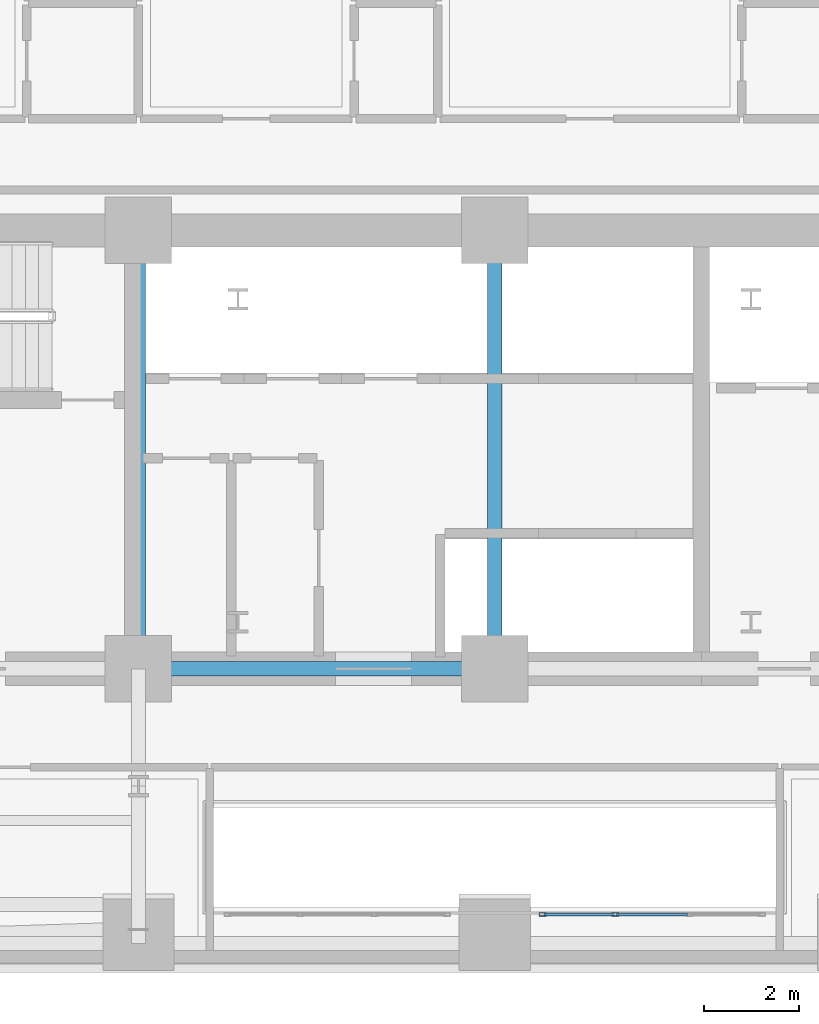
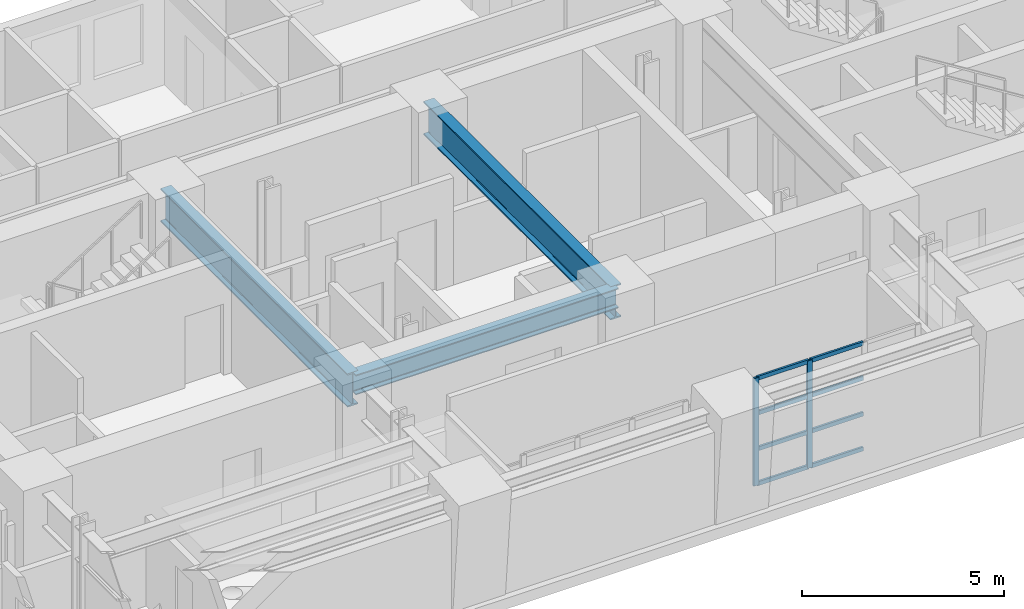
# One storey, part 3 of 15: 10 members, 3 beams, 1 element without a shape of its own.
"""IFC4 building model written with IfcOpenShell, lengths in metres."""

import ifcopenshell
import ifcopenshell.guid

model = None  # the IFC model being written
_history = None  # IfcOwnerHistory: only IFC2X3 demands one
_inside = {}  # id of a spatial element -> (the spatial element, [elements in it])
_under = {}  # id of a project, library or spatial element -> (it, [spatial elements below it])
_declared = {}  # id of a project -> (the project, [libraries it declares])
_typed = {}  # id of a type object -> (the type object, [elements of that type])
_made_of = {}  # id of a material, layer set ... -> (it, [elements and type objects made of it])


def new_model(schema):
    """Start an empty IFC model of exactly this schema.

    Asked for "IFC4X3", IfcOpenShell would pick the latest addendum, in which some entities
    have other attributes; the version numbers below select the first issue.
    IFC2X3 requires an IfcOwnerHistory on every rooted entity: one is made here for all.
    """
    global model, _history
    if schema == "IFC4X3":
        model = ifcopenshell.file(schema_version=(4, 3, 0, 0))
    else:
        model = ifcopenshell.file(schema=schema)
    _inside.clear()
    _under.clear()
    _declared.clear()
    _typed.clear()
    _made_of.clear()
    _history = None
    if model.schema == "IFC2X3":
        org = make("IfcOrganization", Name="unknown")
        user = make(
            "IfcPersonAndOrganization",
            ThePerson=make("IfcPerson", FamilyName="unknown"),
            TheOrganization=org,
        )
        app = make(
            "IfcApplication",
            ApplicationDeveloper=org,
            Version="unknown",
            ApplicationFullName="unknown",
            ApplicationIdentifier="unknown",
        )
        _history = make(
            "IfcOwnerHistory",
            OwningUser=user,
            OwningApplication=app,
            ChangeAction="ADDED",
            CreationDate=0,
        )
    return model


def make(cls, **values):
    """One entity of the class cls with the attributes given. An attribute that is None is left unset."""
    return model.create_entity(
        cls, **{name: value for name, value in values.items() if value is not None}
    )


def rooted(cls, **values):
    """An entity with a GlobalId (a new one), such as an element, a storey or a relation."""
    return make(cls, GlobalId=ifcopenshell.guid.new(), OwnerHistory=_history, **values)


def si_unit(unit_type, name, prefix=None):
    """IfcSIUnit, for example si_unit("LENGTHUNIT", "METRE", prefix="MILLI")."""
    return make("IfcSIUnit", UnitType=unit_type, Prefix=prefix, Name=name)


def assignment(units):
    """IfcUnitAssignment: the units of a project."""
    return None if units is None else make("IfcUnitAssignment", Units=units)


def point(xyz):
    """IfcCartesianPoint."""
    return None if xyz is None else make("IfcCartesianPoint", Coordinates=xyz)


def direction(xyz):
    """IfcDirection."""
    return None if xyz is None else make("IfcDirection", DirectionRatios=xyz)


def frame(location, z_axis=None, x_axis=None):
    """IfcAxis2Placement3D, a coordinate frame: its origin and axes. An axis left out is left unset."""
    return make(
        "IfcAxis2Placement3D",
        Location=point(location),
        Axis=direction(z_axis),
        RefDirection=direction(x_axis),
    )


def frame_2d(location, x_axis=None):
    """IfcAxis2Placement2D, a coordinate frame in the plane: its origin and x axis."""
    return make(
        "IfcAxis2Placement2D", Location=point(location), RefDirection=direction(x_axis)
    )


def origin():
    """The frame at (0, 0, 0) with its axes left unset."""
    return frame((0.0, 0.0, 0.0))


def origin_2d():
    """The frame at (0, 0) in the plane with its x axis left unset."""
    return frame_2d((0.0, 0.0))


def place(relative_to, where):
    """IfcLocalPlacement: puts the frame where relative to a parent placement (None: the world)."""
    return make(
        "IfcLocalPlacement", PlacementRelTo=relative_to, RelativePlacement=where
    )


def context(
    kind, dimensions, precision=None, world=None, true_north=None, identifier=None
):
    """IfcGeometricRepresentationContext, for example the 3D "Model" context."""
    return make(
        "IfcGeometricRepresentationContext",
        ContextIdentifier=identifier,
        ContextType=kind,
        CoordinateSpaceDimension=dimensions,
        Precision=precision,
        WorldCoordinateSystem=world,
        TrueNorth=true_north,
    )


def subcontext(parent, identifier, kind, view, scale=None):
    """IfcGeometricRepresentationSubContext, for example "Body" below "Model"."""
    return make(
        "IfcGeometricRepresentationSubContext",
        ContextIdentifier=identifier,
        ContextType=kind,
        ParentContext=parent,
        TargetScale=scale,
        TargetView=view,
    )


def project(units=None, contexts=None):
    """IfcProject with its units and contexts."""
    return rooted(
        "IfcProject",
        Name="project",
        RepresentationContexts=contexts,
        UnitsInContext=assignment(units),
    )


def spatial(cls, under=None, at=None, **own):
    """A site, building, storey or space (cls), placed at a placement, below another one or the project."""
    s = rooted(cls, ObjectPlacement=at, **own)
    if under is not None:
        _under.setdefault(under.id(), (under, []))[1].append(s)
    return s


def profile(cls, at=None, kind="AREA", **sizes):
    """A parametric profile (cls). Its sizes go by their IFC names, for example OverallWidth=200.0."""
    return make(cls, ProfileType=kind, Position=at, **sizes)


def hollow_rectangle(**sizes):
    """IfcRectangleHollowProfileDef."""
    return profile("IfcRectangleHollowProfileDef", **sizes)


def i_section(**sizes):
    """IfcIShapeProfileDef."""
    return profile("IfcIShapeProfileDef", **sizes)


def extrude(swept, where, along, depth):
    """IfcExtrudedAreaSolid: the profile swept, set in the frame where, extruded along a direction by depth."""
    return make(
        "IfcExtrudedAreaSolid",
        SweptArea=swept,
        Position=where,
        ExtrudedDirection=direction(along),
        Depth=depth,
    )


def shape(context_of_items, identifier, shape_type, items):
    """IfcShapeRepresentation: the items that make up one representation, for example the "Body"."""
    return make(
        "IfcShapeRepresentation",
        ContextOfItems=context_of_items,
        RepresentationIdentifier=identifier,
        RepresentationType=shape_type,
        Items=items,
    )


def material(Name=None, Category=None):
    """IfcMaterial."""
    return make("IfcMaterial", Name=Name, Category=Category)


def layer(
    of_material, thickness, ventilated=None, Name=None, Category=None, Priority=None
):
    """IfcMaterialLayer: one layer of a wall or slab, of a material (None: an air gap)."""
    return make(
        "IfcMaterialLayer",
        Material=of_material,
        LayerThickness=thickness,
        IsVentilated=ventilated,
        Name=Name,
        Category=Category,
        Priority=Priority,
    )


def layer_set(layers, Name=None):
    """IfcMaterialLayerSet."""
    return make("IfcMaterialLayerSet", MaterialLayers=layers, LayerSetName=Name)


def material_profile(
    of_material, cross_section, Name=None, Category=None, Priority=None
):
    """IfcMaterialProfile: a cross section and its material."""
    return make(
        "IfcMaterialProfile",
        Name=Name,
        Material=of_material,
        Profile=cross_section,
        Priority=Priority,
        Category=Category,
    )


def profile_set(profiles, Name=None, composite=None):
    """IfcMaterialProfileSet."""
    return make(
        "IfcMaterialProfileSet",
        Name=Name,
        MaterialProfiles=profiles,
        CompositeProfile=composite,
    )


def made_of(thing, what):
    """Note that an element or type object is made of a material, layer set ...; save() writes the relation."""
    if what is not None:
        _made_of.setdefault(what.id(), (what, []))[1].append(thing)
    return thing


def type_object(cls, material=None, **own):
    """A type object (cls), such as IfcWallType, which elements share."""
    return made_of(rooted(cls, **own), material)


def element(
    cls,
    number,
    at=None,
    inside=None,
    cuts=None,
    type_object=None,
    material=None,
    context=None,
    identifier="Body",
    shape_type=None,
    held_by="IfcProductDefinitionShape",
    body=None,
    shapes=None,
    **own,
):
    """One element of the class cls, such as IfcWall. Its Tag is "e" and its number.

    at: its placement. inside: the storey or other place that contains it. cuts: it is an
    opening in that element (IfcRelVoidsElement). A single representation is given by context,
    identifier, shape_type and body (its items); several are given by shapes. held_by: the class
    of the entity that holds the representations. save() writes the other relations.
    """
    e = rooted(cls, Tag="e%d" % number, ObjectPlacement=at, **own)
    if body is not None:
        shapes = [shape(context, identifier, shape_type, body)]
    if shapes is not None:
        e.Representation = make(held_by, Representations=shapes)
    if inside is not None:
        _inside.setdefault(inside.id(), (inside, []))[1].append(e)
    if cuts is not None:
        rooted(
            "IfcRelVoidsElement", RelatingBuildingElement=cuts, RelatedOpeningElement=e
        )
    if type_object is not None:
        _typed.setdefault(type_object.id(), (type_object, []))[1].append(e)
    return made_of(e, material)


def aggregate(whole, parts):
    """IfcRelAggregates: a whole, such as a stair, and the parts it consists of."""
    return rooted("IfcRelAggregates", RelatingObject=whole, RelatedObjects=parts)


def save(model, path):
    """Write the relations noted so far, then the file.

    IfcRelAggregates (storeys below a building ...), IfcRelContainedInSpatialStructure (elements
    in a storey), IfcRelDefinesByType, IfcRelAssociatesMaterial and IfcRelDeclares: one each for
    every whole, place, type object, material and project.
    """
    for whole, parts in _under.values():
        aggregate(whole, parts)
    for where, things in _inside.values():
        rooted(
            "IfcRelContainedInSpatialStructure",
            RelatedElements=things,
            RelatingStructure=where,
        )
    for kind, things in _typed.values():
        rooted("IfcRelDefinesByType", RelatedObjects=things, RelatingType=kind)
    for what, things in _made_of.values():
        rooted("IfcRelAssociatesMaterial", RelatedObjects=things, RelatingMaterial=what)
    for by, libraries in _declared.values():
        rooted("IfcRelDeclares", RelatingContext=by, RelatedDefinitions=libraries)
    model.write(path)


model = new_model("IFC4")

# Units and contexts
model_context = context("Model", 3, precision=1e-05, world=origin(), true_north=direction((0.0, 1.0)))
body_context = subcontext(model_context, "Body", "Model", "MODEL_VIEW")
ifc_project = project(units=[si_unit("LENGTHUNIT", "METRE"), si_unit("AREAUNIT", "SQUARE_METRE"), si_unit("VOLUMEUNIT", "CUBIC_METRE"), si_unit("PLANEANGLEUNIT", "RADIAN"), si_unit("MASSUNIT", "GRAM", prefix="KILO")], contexts=[model_context])

# Site, building, storey
site_placement = place(None, origin())
site = spatial("IfcSite", under=ifc_project, at=site_placement, CompositionType="ELEMENT")
building_placement = place(site_placement, origin())
building = spatial("IfcBuilding", under=site, at=building_placement, Name="Zarnavel Station Tower", CompositionType="ELEMENT")
storey_placement = place(building_placement, frame((0.0, 0.0, 43.0)))
storey = spatial("IfcBuildingStorey", under=building, at=storey_placement, Name="L11", CompositionType="ELEMENT", Elevation=43.0)

# Curtain wall, members
ifc_material_1 = material(Name="Aluminium Dark Anodised and Solar-Control Glass", Category="aluminium")
ifc_layer = layer(ifc_material_1, 0.179931640625)
ifc_layer_set = layer_set([ifc_layer], Name="CWS2")
curtain_wall_type = type_object("IfcCurtainWallType", Name="CWS2", PredefinedType="NOTDEFINED", material=ifc_layer_set)
curtain_wall_placement = place(storey_placement, origin())
curtain_wall = element("IfcCurtainWall", 1, at=curtain_wall_placement, inside=storey, type_object=curtain_wall_type, Name="L11 Curtain Wall CWS2-L11-AS-S2", PredefinedType="NOTDEFINED")
ifc_material_2 = material(Name="Steel S355J2 (Black Fluoropolymer Coated)", Category="steel")
ifc_material_profile_1 = material_profile(ifc_material_2, hollow_rectangle(XDim=0.074951171875, YDim=0.14990234375, WallThickness=0.00634765625, at=origin_2d()), Name="RHS150x75x6.3")
ifc_profile_set_1 = profile_set([ifc_material_profile_1], Name="Steel S355J2 (Black Fluoropolymer Coated)")
member_type_1 = type_object("IfcMemberType", Name="CWS2_MUL", PredefinedType="MULLION", material=ifc_profile_set_1)
member_1_placement = place(storey_placement, frame((29.81005859375, 22.64990234375, 0.0), z_axis=(0.0, 0.0, 1.0), x_axis=(0.0, 1.0, 0.0)))
member_1 = element("IfcMember", 2, at=member_1_placement, type_object=member_type_1, Name="CW2 mullion 1", PredefinedType="MULLION", context=body_context, shape_type="SweptSolid", body=[
    extrude(hollow_rectangle(XDim=0.074951171875, YDim=0.14990234375, WallThickness=0.00634765625, at=origin_2d()), origin(), (0.0, 0.0, 1.0), 3.239990234375),
])
member_2_placement = place(storey_placement, frame((31.336669921875, 22.64990234375, 0.0), z_axis=(0.0, 0.0, 1.0), x_axis=(0.0, 1.0, 0.0)))
member_2 = element("IfcMember", 3, at=member_2_placement, type_object=member_type_1, Name="CW2 mullion 2", PredefinedType="MULLION", context=body_context, shape_type="SweptSolid", body=[
    extrude(hollow_rectangle(XDim=0.074951171875, YDim=0.14990234375, WallThickness=0.00634765625, at=origin_2d()), origin(), (0.0, 0.0, 1.0), 3.239990234375),
])
ifc_material_3 = material(Name="Steel S355J2 (Black Fluoropolymer Coated)", Category="steel")
ifc_material_profile_2 = material_profile(ifc_material_3, hollow_rectangle(XDim=0.06005859375, YDim=0.1201171875, WallThickness=0.0048828125, at=origin_2d()), Name="RHS120x60x5")
ifc_profile_set_2 = profile_set([ifc_material_profile_2], Name="Steel S355J2 (Black Fluoropolymer Coated)")
member_type_2 = type_object("IfcMemberType", Name="CWS2_TRN", PredefinedType="USERDEFINED", material=ifc_profile_set_2)
member_3_placement = place(storey_placement, frame((29.840087890625, 22.64990234375, 0.030029296875), z_axis=(1.0, 0.0, 0.0), x_axis=(0.0, 1.0, 0.0)))
member_3 = element("IfcMember", 4, at=member_3_placement, type_object=member_type_2, Name="CW2 transom 1.1", ObjectType="TRANSOM", PredefinedType="USERDEFINED", context=body_context, shape_type="SweptSolid", body=[
    extrude(hollow_rectangle(XDim=0.06005859375, YDim=0.1201171875, WallThickness=0.0048828125, at=origin_2d()), origin(), (0.0, 0.0, 1.0), 1.466552734375),
])
member_4_placement = place(storey_placement, frame((29.840087890625, 22.64990234375, 1.080078125), z_axis=(1.0, 0.0, 0.0), x_axis=(0.0, 1.0, 0.0)))
member_4 = element("IfcMember", 5, at=member_4_placement, type_object=member_type_2, Name="CW2 transom 1.2", ObjectType="TRANSOM", PredefinedType="USERDEFINED", context=body_context, shape_type="SweptSolid", body=[
    extrude(hollow_rectangle(XDim=0.06005859375, YDim=0.1201171875, WallThickness=0.0048828125, at=origin_2d()), origin(), (0.0, 0.0, 1.0), 1.466552734375),
])
member_5_placement = place(storey_placement, frame((29.840087890625, 22.64990234375, 2.159912109375), z_axis=(1.0, 0.0, 0.0), x_axis=(0.0, 1.0, 0.0)))
member_5 = element("IfcMember", 6, at=member_5_placement, type_object=member_type_2, Name="CW2 transom 1.3", ObjectType="TRANSOM", PredefinedType="USERDEFINED", context=body_context, shape_type="SweptSolid", body=[
    extrude(hollow_rectangle(XDim=0.06005859375, YDim=0.1201171875, WallThickness=0.0048828125, at=origin_2d()), origin(), (0.0, 0.0, 1.0), 1.466552734375),
])
member_6_placement = place(storey_placement, frame((29.840087890625, 22.64990234375, 3.2099609375), z_axis=(1.0, 0.0, 0.0), x_axis=(0.0, 1.0, 0.0)))
member_6 = element("IfcMember", 7, at=member_6_placement, type_object=member_type_2, Name="CW2 transom 1.4", ObjectType="TRANSOM", PredefinedType="USERDEFINED", context=body_context, shape_type="SweptSolid", body=[
    extrude(hollow_rectangle(XDim=0.06005859375, YDim=0.1201171875, WallThickness=0.0048828125, at=origin_2d()), origin(), (0.0, 0.0, 1.0), 1.466552734375),
])
member_7_placement = place(storey_placement, frame((31.36669921875, 22.64990234375, 0.030029296875), z_axis=(1.0, 0.0, 0.0), x_axis=(0.0, 1.0, 0.0)))
member_7 = element("IfcMember", 8, at=member_7_placement, type_object=member_type_2, Name="CW2 transom 2.1", ObjectType="TRANSOM", PredefinedType="USERDEFINED", context=body_context, shape_type="SweptSolid", body=[
    extrude(hollow_rectangle(XDim=0.06005859375, YDim=0.1201171875, WallThickness=0.0048828125, at=origin_2d()), origin(), (0.0, 0.0, 1.0), 1.49658203125),
])
member_8_placement = place(storey_placement, frame((31.36669921875, 22.64990234375, 1.080078125), z_axis=(1.0, 0.0, 0.0), x_axis=(0.0, 1.0, 0.0)))
member_8 = element("IfcMember", 9, at=member_8_placement, type_object=member_type_2, Name="CW2 transom 2.2", ObjectType="TRANSOM", PredefinedType="USERDEFINED", context=body_context, shape_type="SweptSolid", body=[
    extrude(hollow_rectangle(XDim=0.06005859375, YDim=0.1201171875, WallThickness=0.0048828125, at=origin_2d()), origin(), (0.0, 0.0, 1.0), 1.49658203125),
])
member_9_placement = place(storey_placement, frame((31.36669921875, 22.64990234375, 2.159912109375), z_axis=(1.0, 0.0, 0.0), x_axis=(0.0, 1.0, 0.0)))
member_9 = element("IfcMember", 10, at=member_9_placement, type_object=member_type_2, Name="CW2 transom 2.3", ObjectType="TRANSOM", PredefinedType="USERDEFINED", context=body_context, shape_type="SweptSolid", body=[
    extrude(hollow_rectangle(XDim=0.06005859375, YDim=0.1201171875, WallThickness=0.0048828125, at=origin_2d()), origin(), (0.0, 0.0, 1.0), 1.49658203125),
])
member_10_placement = place(storey_placement, frame((31.36669921875, 22.64990234375, 3.2099609375), z_axis=(1.0, 0.0, 0.0), x_axis=(0.0, 1.0, 0.0)))
member_10 = element("IfcMember", 11, at=member_10_placement, type_object=member_type_2, Name="CW2 transom 2.4", ObjectType="TRANSOM", PredefinedType="USERDEFINED", context=body_context, shape_type="SweptSolid", body=[
    extrude(hollow_rectangle(XDim=0.06005859375, YDim=0.1201171875, WallThickness=0.0048828125, at=origin_2d()), origin(), (0.0, 0.0, 1.0), 1.49658203125),
])
aggregate(curtain_wall, [member_1, member_2, member_3, member_4, member_5, member_6, member_7, member_8, member_9, member_10])

# Beams
ifc_material_4 = material(Name="Steel S355J2", Category="steel")
ifc_material_profile_3 = material_profile(ifc_material_4, i_section(OverallWidth=0.300048828125, OverallDepth=0.60009765625, WebThickness=0.015380859375, FlangeThickness=0.030029296875, FilletRadius=0.027099609375, at=origin_2d()), Name="HEB600")
ifc_profile_set_3 = profile_set([ifc_material_profile_3], Name="Steel S355J2")
beam_type_1 = type_object("IfcBeamType", Name="FG_HEB600", PredefinedType="USERDEFINED", material=ifc_profile_set_3)
beam_placement = place(storey_placement, frame((21.300048828125, 27.820068359375, 2.93994140625), z_axis=(1.0, 0.0, 0.0), x_axis=(0.0, 1.0, 0.0)))
element("IfcBeam", 12, at=beam_placement, inside=storey, type_object=beam_type_1, Name="L11 Core Front Coupling Beam 2", ObjectType="GIRDER", PredefinedType="USERDEFINED", context=body_context, shape_type="SweptSolid", body=[
    extrude(i_section(OverallWidth=0.300048828125, OverallDepth=0.60009765625, WebThickness=0.015380859375, FlangeThickness=0.030029296875, FilletRadius=0.027099609375, at=origin_2d()), origin(), (0.0, 0.0, 1.0), 7.5),
])
ifc_material_5 = material(Name="Steel S460M", Category="steel")
ifc_material_profile_4 = material_profile(ifc_material_5, i_section(OverallWidth=0.302001953125, OverallDepth=1.008056640625, WebThickness=0.02099609375, FlangeThickness=0.0400390625, FilletRadius=0.030029296875, at=origin_2d()), Name="HEM1000")
ifc_profile_set_4 = profile_set([ifc_material_profile_4], Name="Steel S460M")
beam_type_2 = type_object("IfcBeamType", Name="TG_HEM1000", PredefinedType="USERDEFINED", material=ifc_profile_set_4)
for number, where, z_axis, x_axis, name in (
    (13, (21.300048828125, 27.820068359375, 2.736083984375), (0.0, 1.0, 0.0), (-1.0, 0.0, 0.0), "L11 Core Spine Coupling Girder 2"),
    (14, (28.800048828125, 27.820068359375, 2.736083984375), (0.0, 1.0, 0.0), (-1.0, 0.0, 0.0), "L11 Core Spine Coupling Girder 3"),
):
    element("IfcBeam", number, at=place(storey_placement, frame(where, z_axis=z_axis, x_axis=x_axis)), inside=storey, type_object=beam_type_2, Name=name, ObjectType="GIRDER", PredefinedType="USERDEFINED", context=body_context, shape_type="SweptSolid", body=[
        extrude(i_section(OverallWidth=0.302001953125, OverallDepth=1.008056640625, WebThickness=0.02099609375, FlangeThickness=0.0400390625, FilletRadius=0.030029296875, at=origin_2d()), origin(), (0.0, 0.0, 1.0), 9.22998046875),
    ])

save(model, "model.ifc")
